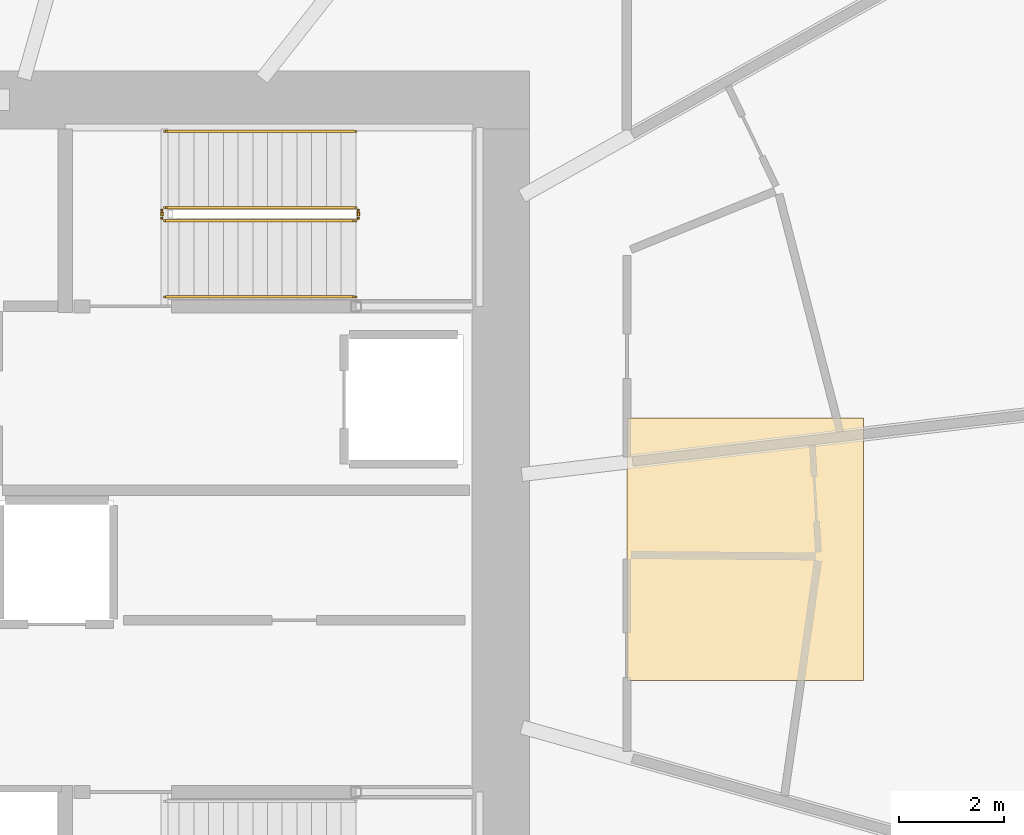
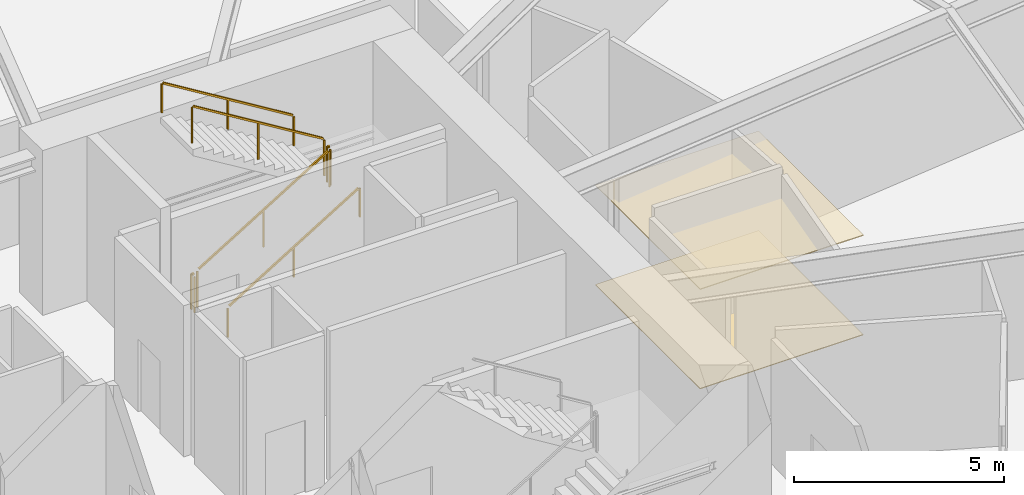
# One storey, part 22 of 22: 6 railings, 2 coverings.
"""IFC4 building model written with IfcOpenShell, lengths in metres."""

from ifc_helpers import new_model, si_unit, direction, frame, origin, origin_2d, place, context, subcontext, project, spatial, polyline, rectangle, outline, extrude, material, layer, layer_set, type_object, element, save


model = new_model("IFC4")

# Units and contexts
model_context = context("Model", 3, precision=1e-05, world=origin(), true_north=direction((0.0, 1.0)))
body_context = subcontext(model_context, "Body", "Model", "MODEL_VIEW")
ifc_project = project(units=[si_unit("LENGTHUNIT", "METRE"), si_unit("AREAUNIT", "SQUARE_METRE"), si_unit("VOLUMEUNIT", "CUBIC_METRE"), si_unit("PLANEANGLEUNIT", "RADIAN"), si_unit("MASSUNIT", "GRAM", prefix="KILO")], contexts=[model_context])

# Site, building, storey
site_placement = place(None, origin())
site = spatial("IfcSite", under=ifc_project, at=site_placement, CompositionType="ELEMENT")
building_placement = place(site_placement, origin())
building = spatial("IfcBuilding", under=site, at=building_placement, Name="Kazma Halo Residences", CompositionType="ELEMENT")
storey_placement = place(building_placement, frame((0.0, 0.0, 16.800048828125)))
storey = spatial("IfcBuildingStorey", under=building, at=storey_placement, Name="L03", CompositionType="ELEMENT", Elevation=16.800048828125)

# Coverings
ifc_material_1 = material(Name="Perforated Gypsum Acoustic Ceiling")
ifc_layer_1 = layer(ifc_material_1, 0.02490234375)
ifc_layer_set_1 = layer_set([ifc_layer_1], Name="Perforated Gypsum Acoustic Ceiling")
covering_type_1 = type_object("IfcCoveringType", Name="COV-CEIL-ACOUSTIC", PredefinedType="CEILING", material=ifc_layer_set_1)
covering_1_placement = place(storey_placement, frame((0.0, 0.0, 2.89501953125)))
element("IfcCovering", 1, at=covering_1_placement, inside=storey, type_object=covering_type_1, Name="L03 amenity acoustic ceiling", PredefinedType="CEILING", context=body_context, shape_type="SweptSolid", body=[
    extrude(outline(polyline([(62.0, 39.5), (66.5, 39.5), (66.5, 44.5), (62.0, 44.5), (62.0, 39.5)])), origin(), (0.0, 0.0, 1.0), 0.02490234375),
])
ifc_material_2 = material(Name="Polished Limestone Terrazzo Flooring", Category="masonry")
ifc_layer_2 = layer(ifc_material_2, 0.02001953125)
ifc_layer_set_2 = layer_set([ifc_layer_2], Name="Polished Limestone Terrazzo Flooring")
covering_type_2 = type_object("IfcCoveringType", Name="COV-FLR-TERRAZZO", PredefinedType="FLOORING", material=ifc_layer_set_2)
covering_2_placement = place(storey_placement, origin())
element("IfcCovering", 2, at=covering_2_placement, inside=storey, type_object=covering_type_2, Name="L03 amenity terrazzo floor finish", PredefinedType="FLOORING", context=body_context, shape_type="SweptSolid", body=[
    extrude(outline(polyline([(62.0, 39.5), (66.5, 39.5), (66.5, 44.5), (62.0, 44.5), (62.0, 39.5)])), origin(), (0.0, 0.0, 1.0), 0.02001953125),
])

# Railings
ifc_material_3 = material(Name="Painted Steel S355", Category="steel")
railing_type_1 = type_object("IfcRailingType", Name="RLG-STAIR-GRD-1100", PredefinedType="GUARDRAIL", material=ifc_material_3)
railing_1_placement = place(storey_placement, frame((53.199951171875, 48.25, 0.17138671875)))
element("IfcRailing", 3, at=railing_1_placement, inside=storey, type_object=railing_type_1, Name="L03 ST-02 stair guard 1", PredefinedType="GUARDRAIL", context=body_context, shape_type="SweptSolid", body=[
    extrude(rectangle(XDim=0.050048828125, YDim=0.050048828125, at=origin_2d()), frame((0.036376953125, 0.0, 1.09716796875), z_axis=(0.852865859571, 0.0, 0.52213008492), x_axis=(0.0, 1.0, 0.0)), (0.0, 0.0, 1.0), 4.18310546875),
    extrude(rectangle(XDim=0.0400390625, YDim=0.0400390625, at=origin_2d()), origin(), (0.0, 0.0, 1.0), 1.0380859375),
    extrude(rectangle(XDim=0.0400390625, YDim=0.0400390625, at=origin_2d()), frame((1.820068359375, 0.0, 1.1142578125)), (0.0, 0.0, 1.0), 1.0380859375),
    extrude(rectangle(XDim=0.0400390625, YDim=0.0400390625, at=origin_2d()), frame((3.64013671875, 0.0, 2.228515625)), (0.0, 0.0, 1.0), 1.0380859375),
])
railing_2_placement = place(storey_placement, frame((56.889892578125, 48.300048828125, 2.39990234375)))
element("IfcRailing", 4, at=railing_2_placement, inside=storey, type_object=railing_type_1, Name="L03 ST-02 stair guard 2", PredefinedType="GUARDRAIL", context=body_context, shape_type="SweptSolid", body=[
    extrude(rectangle(XDim=0.050048828125, YDim=0.050048828125, at=origin_2d()), frame((0.0, 0.04248046875, 1.0751953125), z_axis=(0.0, 1.0, 0.0), x_axis=(-1.0, 0.0, 0.0)), (0.0, 0.0, 1.0), 0.06494140625),
    extrude(rectangle(XDim=0.0400390625, YDim=0.0400390625, at=origin_2d()), origin(), (0.0, 0.0, 1.0), 1.0380859375),
    extrude(rectangle(XDim=0.0400390625, YDim=0.0400390625, at=origin_2d()), frame((0.0, 0.14990234375, 0.0)), (0.0, 0.0, 1.0), 1.0380859375),
])
railing_3_placement = place(storey_placement, frame((56.840087890625, 48.5, 2.5712890625)))
element("IfcRailing", 5, at=railing_3_placement, inside=storey, type_object=railing_type_1, Name="L03 ST-02 stair guard 3", PredefinedType="GUARDRAIL", context=body_context, shape_type="SweptSolid", body=[
    extrude(rectangle(XDim=0.050048828125, YDim=0.050048828125, at=origin_2d()), frame((-0.036376953125, 0.0, 1.09716796875), z_axis=(-0.852840387347, 0.0, 0.522171689878), x_axis=(0.0, -1.0, 0.0)), (0.0, 0.0, 1.0), 4.18310546875),
    extrude(rectangle(XDim=0.0400390625, YDim=0.0400390625, at=origin_2d()), origin(), (0.0, 0.0, 1.0), 1.0380859375),
    extrude(rectangle(XDim=0.0400390625, YDim=0.0400390625, at=origin_2d()), frame((-1.820068359375, 0.0, 1.1142578125)), (0.0, 0.0, 1.0), 1.0380859375),
    extrude(rectangle(XDim=0.0400390625, YDim=0.0400390625, at=origin_2d()), frame((-3.64013671875, 0.0, 2.228759765625)), (0.0, 0.0, 1.0), 1.0380859375),
])
railing_4_placement = place(storey_placement, frame((53.14990234375, 48.300048828125, 0.0)))
element("IfcRailing", 6, at=railing_4_placement, inside=storey, type_object=railing_type_1, Name="L03 ST-02 stair guard 4", PredefinedType="GUARDRAIL", context=body_context, shape_type="SweptSolid", body=[
    extrude(rectangle(XDim=0.050048828125, YDim=0.050048828125, at=origin_2d()), frame((0.0, 0.04248046875, 1.0751953125), z_axis=(0.0, 1.0, 0.0), x_axis=(-1.0, 0.0, 0.0)), (0.0, 0.0, 1.0), 0.06494140625),
    extrude(rectangle(XDim=0.0400390625, YDim=0.0400390625, at=origin_2d()), origin(), (0.0, 0.0, 1.0), 1.0380859375),
    extrude(rectangle(XDim=0.0400390625, YDim=0.0400390625, at=origin_2d()), frame((0.0, 0.14990234375, 0.0)), (0.0, 0.0, 1.0), 1.0380859375),
])
ifc_material_4 = material(Name="Brushed Stainless Steel", Category="steel")
railing_type_2 = type_object("IfcRailingType", Name="RLG-STAIR-HND-900", PredefinedType="HANDRAIL", material=ifc_material_4)
railing_5_placement = place(storey_placement, frame((53.199951171875, 46.800048828125, 0.17138671875)))
element("IfcRailing", 7, at=railing_5_placement, inside=storey, type_object=railing_type_2, Name="L03 ST-02 stair handrail 1", PredefinedType="HANDRAIL", context=body_context, shape_type="SweptSolid", body=[
    extrude(rectangle(XDim=0.050048828125, YDim=0.050048828125, at=origin_2d()), frame((0.036376953125, 0.0, 0.89697265625), z_axis=(0.852865859571, 0.0, 0.52213008492), x_axis=(0.0, 1.0, 0.0)), (0.0, 0.0, 1.0), 4.18310546875),
    extrude(rectangle(XDim=0.0400390625, YDim=0.0400390625, at=origin_2d()), origin(), (0.0, 0.0, 1.0), 0.837890625),
    extrude(rectangle(XDim=0.0400390625, YDim=0.0400390625, at=origin_2d()), frame((1.820068359375, 0.0, 1.1142578125)), (0.0, 0.0, 1.0), 0.837890625),
    extrude(rectangle(XDim=0.0400390625, YDim=0.0400390625, at=origin_2d()), frame((3.64013671875, 0.0, 2.228515625)), (0.0, 0.0, 1.0), 0.837890625),
])
railing_6_placement = place(storey_placement, frame((56.840087890625, 49.949951171875, 2.5712890625)))
element("IfcRailing", 8, at=railing_6_placement, inside=storey, type_object=railing_type_2, Name="L03 ST-02 stair handrail 2", PredefinedType="HANDRAIL", context=body_context, shape_type="SweptSolid", body=[
    extrude(rectangle(XDim=0.050048828125, YDim=0.050048828125, at=origin_2d()), frame((-0.036376953125, 0.0, 0.89697265625), z_axis=(-0.852840387347, 0.0, 0.522171689878), x_axis=(0.0, -1.0, 0.0)), (0.0, 0.0, 1.0), 4.18310546875),
    extrude(rectangle(XDim=0.0400390625, YDim=0.0400390625, at=origin_2d()), origin(), (0.0, 0.0, 1.0), 0.837890625),
    extrude(rectangle(XDim=0.0400390625, YDim=0.0400390625, at=origin_2d()), frame((-1.820068359375, 0.0, 1.1142578125)), (0.0, 0.0, 1.0), 0.837890625),
    extrude(rectangle(XDim=0.0400390625, YDim=0.0400390625, at=origin_2d()), frame((-3.64013671875, 0.0, 2.228759765625)), (0.0, 0.0, 1.0), 0.837890625),
])

save(model, "model.ifc")
